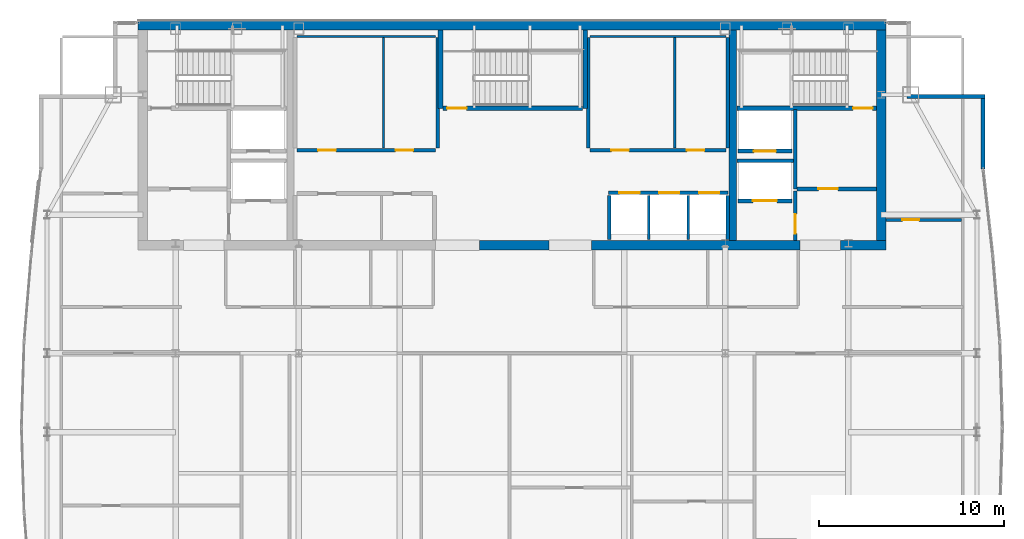
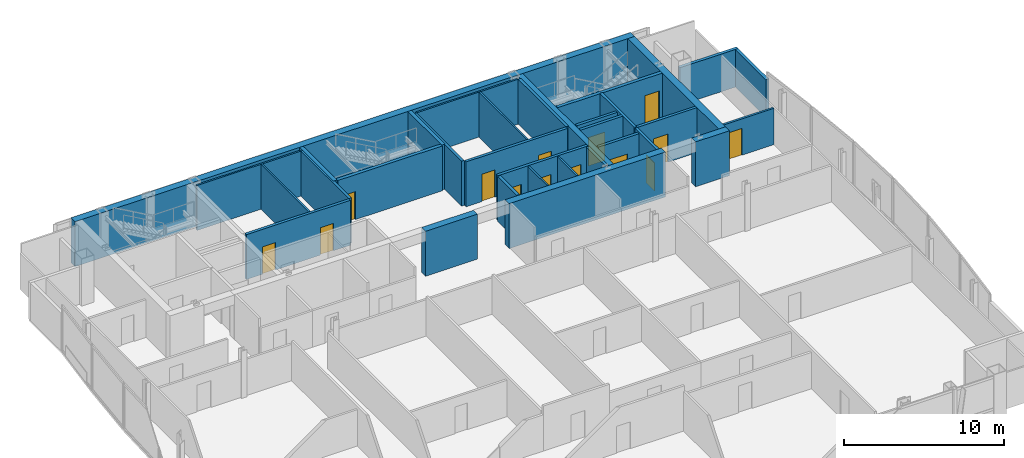
# One storey, part 22 of 25: 33 walls, 14 doors, 14 openings.
"""IFC4 building model written with IfcOpenShell, lengths in metres."""

from ifc_helpers import new_model, si_unit, direction, frame, frame_2d, origin, place, context, subcontext, project, spatial, rectangle, extrude, material, layer, layer_set, type_object, element, fill, save


model = new_model("IFC4")

# Units and contexts
model_context = context("Model", 3, precision=1e-05, world=origin(), true_north=direction((0.0, 1.0)))
body_context = subcontext(model_context, "Body", "Model", "MODEL_VIEW")
ifc_project = project(units=[si_unit("LENGTHUNIT", "METRE"), si_unit("AREAUNIT", "SQUARE_METRE"), si_unit("VOLUMEUNIT", "CUBIC_METRE"), si_unit("PLANEANGLEUNIT", "RADIAN"), si_unit("MASSUNIT", "GRAM", prefix="KILO")], contexts=[model_context])

# Site, building, storey
site_placement = place(None, origin())
site = spatial("IfcSite", under=ifc_project, at=site_placement, CompositionType="ELEMENT")
building_placement = place(site_placement, origin())
building = spatial("IfcBuilding", under=site, at=building_placement, Name="Khoronbel Lancet Exchange", CompositionType="ELEMENT")
storey_placement = place(building_placement, frame((0.0, 0.0, 298.60009765625)))
storey = spatial("IfcBuildingStorey", under=building, at=storey_placement, Name="L77", CompositionType="ELEMENT", Elevation=298.60009765625)

# Walls
ifc_material_1 = material(Name="Concrete C60/75", Category="concrete")
ifc_layer_1 = layer(ifc_material_1, 0.5, Name="Concrete C60/75")
ifc_layer_set_1 = layer_set([ifc_layer_1], Name="Concrete C60/75")
wall_type_1 = type_object("IfcWallType", Name="WL-CW4", PredefinedType="SHEAR", material=ifc_layer_set_1)
wall_1_placement = place(storey_placement, frame((16.199951171875, 53.449951171875, 0.0), z_axis=(0.0, 0.0, 1.0), x_axis=(1.0, 0.0, 0.0)))
element("IfcWall", 1, at=wall_1_placement, inside=storey, type_object=wall_type_1, Name="Level L77 rear core north shear wall", PredefinedType="SHEAR", context=body_context, shape_type="SweptSolid", body=[
    extrude(rectangle(XDim=40.5, YDim=0.5, at=frame_2d((20.25, 0.0))), origin(), (0.0, 0.0, 1.0), 3.43994140625),
])
wall_2_placement = place(storey_placement, frame((56.449951171875, 53.199951171875, 0.0), z_axis=(0.0, 0.0, 1.0), x_axis=(0.0, -1.0, 0.0)))
element("IfcWall", 2, at=wall_2_placement, inside=storey, type_object=wall_type_1, Name="Level L77 rear core east shear wall", PredefinedType="SHEAR", context=body_context, shape_type="SweptSolid", body=[
    extrude(rectangle(XDim=11.39990234375, YDim=0.5, at=frame_2d((5.699951171875, 0.0))), origin(), (0.0, 0.0, 1.0), 3.43994140625),
])
wall_3_placement = place(storey_placement, frame((38.449951171875, 41.550048828125, 0.0), z_axis=(0.0, 0.0, 1.0), x_axis=(-1.0, 0.0, 0.0)))
element("IfcWall", 3, at=wall_3_placement, inside=storey, type_object=wall_type_1, Name="Level L77 rear core south shear wall pier P3", PredefinedType="SHEAR", context=body_context, shape_type="SweptSolid", body=[
    extrude(rectangle(XDim=3.75, YDim=0.5, at=frame_2d((1.875, 0.0))), origin(), (0.0, 0.0, 1.0), 3.43994140625),
])
wall_4_placement = place(storey_placement, frame((52.050048828125, 41.550048828125, 0.0), z_axis=(0.0, 0.0, 1.0), x_axis=(-1.0, 0.0, 0.0)))
element("IfcWall", 4, at=wall_4_placement, inside=storey, type_object=wall_type_1, Name="Level L77 rear core south shear wall pier P4", PredefinedType="SHEAR", context=body_context, shape_type="SweptSolid", body=[
    extrude(rectangle(XDim=11.300048828125, YDim=0.5, at=frame_2d((5.64990234375, 0.0))), origin(), (0.0, 0.0, 1.0), 3.43994140625),
])
wall_5_placement = place(storey_placement, frame((56.699951171875, 41.550048828125, 0.0), z_axis=(0.0, 0.0, 1.0), x_axis=(-1.0, 0.0, 0.0)))
element("IfcWall", 5, at=wall_5_placement, inside=storey, type_object=wall_type_1, Name="Level L77 rear core south shear wall pier P5", PredefinedType="SHEAR", context=body_context, shape_type="SweptSolid", body=[
    extrude(rectangle(XDim=2.449951171875, YDim=0.5, at=frame_2d((1.22509765625, 0.0))), origin(), (0.0, 0.0, 1.0), 3.43994140625),
])
ifc_material_2 = material(Name="Precast concrete C40/50", Category="concrete")
ifc_layer_2 = layer(ifc_material_2, 0.25, Name="Precast concrete C40/50")
ifc_layer_set_2 = layer_set([ifc_layer_2], Name="Precast concrete C40/50")
wall_type_2 = type_object("IfcWallType", Name="WL-EXT250", PredefinedType="SOLIDWALL", material=ifc_layer_set_2)
wall_6_placement = place(storey_placement, frame((57.85009765625, 49.610107421875, 0.0), z_axis=(0.0, 0.0, 1.0), x_axis=(1.0, 0.0, 0.0)))
element("IfcWall", 6, at=wall_6_placement, inside=storey, type_object=wall_type_2, Name="Level L77 notched-corner limestone pier 15", PredefinedType="SOLIDWALL", context=body_context, shape_type="SweptSolid", body=[
    extrude(rectangle(XDim=4.219970703125, YDim=0.219970703125, at=frame_2d((2.10986328125, 0.0))), origin(), (0.0, 0.0, 1.0), 2.8798828125),
])
wall_7_placement = place(storey_placement, frame((61.9599609375, 49.5, 0.0), z_axis=(0.0, 0.0, 1.0), x_axis=(0.0, -1.0, 0.0)))
element("IfcWall", 7, at=wall_7_placement, inside=storey, type_object=wall_type_2, Name="Level L77 notched-corner limestone pier 16", PredefinedType="SOLIDWALL", context=body_context, shape_type="SweptSolid", body=[
    extrude(rectangle(XDim=3.824951171875, YDim=0.219970703125, at=frame_2d((1.91259765625, 0.0))), origin(), (0.0, 0.0, 1.0), 2.8798828125),
])

# Wall, opening, door
ifc_material_3 = material(Name="Acoustic Metal-Stud & Mineral-Wool Gypsum Partition 120 mm", Category="gypsum")
ifc_layer_3 = layer(ifc_material_3, 0.1201171875, Name="Acoustic Metal-Stud & Mineral-Wool Gypsum Partition 120 mm")
ifc_layer_set_3 = layer_set([ifc_layer_3], Name="Acoustic Metal-Stud & Mineral-Wool Gypsum Partition 120 mm")
wall_type_3 = type_object("IfcWallType", Name="WL-PRT120", PredefinedType="PARTITIONING", material=ifc_layer_set_3)
wall_8_placement = place(storey_placement, frame((56.699951171875, 42.919921875, 0.0), z_axis=(0.0, 0.0, 1.0), x_axis=(1.0, 0.0, 0.0)))
wall_8 = element("IfcWall", 8, at=wall_8_placement, inside=storey, type_object=wall_type_3, Name="Level L77 interior partition PW-NE-H", PredefinedType="PARTITIONING", context=body_context, shape_type="SweptSolid", body=[
    extrude(rectangle(XDim=4.10498046875, YDim=0.14990234375, at=frame_2d((2.052490234375, 0.0))), origin(), (0.0, 0.0, 1.0), 2.77978515625),
])
opening_1_placement = place(wall_8_placement, frame((0.89990234375, 0.0, 0.0)))
opening_1 = element("IfcOpeningElement", 9, at=opening_1_placement, cuts=wall_8, Name="Opening D5", PredefinedType="OPENING", context=body_context, shape_type="SweptSolid", body=[
    extrude(rectangle(XDim=0.89990234375, YDim=2.050048828125, at=frame_2d((0.449951171875, 1.02490234375))), frame((0.0, 0.0849609375, 0.0), z_axis=(0.0, -1.0, 0.0), x_axis=(1.0, 0.0, 0.0)), (0.0, 0.0, 1.0), 0.169921875),
])
ifc_material_4 = material(Name="Acoustic Timber Pantry & Support Door", Category="wood")
door_type_1 = type_object("IfcDoorType", Name="DR-D5", OperationType="NOTDEFINED", PredefinedType="DOOR", material=ifc_material_4)
door_1_placement = place(opening_1_placement, origin())
door_1 = element("IfcDoor", 10, at=door_1_placement, inside=storey, type_object=door_type_1, Name="NE north room door L77-1", OperationType="SINGLE_SWING_LEFT", OverallHeight=2.050048828125, OverallWidth=0.89990234375, PredefinedType="DOOR", context=body_context, shape_type="SweptSolid", body=[
    extrude(rectangle(XDim=0.89990234375, YDim=2.050048828125, at=frame_2d((0.449951171875, 1.02490234375))), frame((0.0, 0.02490234375, 0.0), z_axis=(0.0, -1.0, 0.0), x_axis=(1.0, 0.0, 0.0)), (0.0, 0.0, 1.0), 0.050048828125),
])
fill(opening_1, door_1)

# Walls
ifc_material_5 = material(Name="Fire-Rated Metal-Stud & Mineral-Wool Gypsum Partition 120 mm", Category="gypsum")
ifc_layer_4 = layer(ifc_material_5, 0.1201171875, Name="Fire-Rated Metal-Stud & Mineral-Wool Gypsum Partition 120 mm")
ifc_layer_set_4 = layer_set([ifc_layer_4], Name="Fire-Rated Metal-Stud & Mineral-Wool Gypsum Partition 120 mm")
wall_type_4 = type_object("IfcWallType", Name="WL-PRT120F", PredefinedType="PARTITIONING", material=ifc_layer_set_4)
wall_9_placement = place(storey_placement, frame((24.804931640625, 52.860107421875, 0.0), z_axis=(0.0, 0.0, 1.0), x_axis=(1.0, 0.0, 0.0)))
element("IfcWall", 11, at=wall_9_placement, inside=storey, type_object=wall_type_4, Name="Level L77 interior partition CW-PL-RN", PredefinedType="PARTITIONING", context=body_context, shape_type="SweptSolid", body=[
    extrude(rectangle(XDim=7.510009765625, YDim=0.1201171875, at=frame_2d((3.7548828125, 0.0))), origin(), (0.0, 0.0, 1.0), 3.43994140625),
])
wall_10_placement = place(storey_placement, frame((29.486328125, 46.804931640625, 0.0), z_axis=(0.0, 0.0, 1.0), x_axis=(0.0, 1.0, 0.0)))
element("IfcWall", 12, at=wall_10_placement, inside=storey, type_object=wall_type_4, Name="Level L77 interior partition CW-PL-RS2", PredefinedType="PARTITIONING", context=body_context, shape_type="SweptSolid", body=[
    extrude(rectangle(XDim=5.989990234375, YDim=0.1201171875, at=frame_2d((2.9951171875, 0.0))), origin(), (0.0, 0.0, 1.0), 3.43994140625),
])
wall_11_placement = place(storey_placement, frame((40.68505859375, 52.860107421875, 0.0), z_axis=(0.0, 0.0, 1.0), x_axis=(1.0, 0.0, 0.0)))
element("IfcWall", 13, at=wall_11_placement, inside=storey, type_object=wall_type_4, Name="Level L77 interior partition CW-PH-RN", PredefinedType="PARTITIONING", context=body_context, shape_type="SweptSolid", body=[
    extrude(rectangle(XDim=7.349853515625, YDim=0.1201171875, at=frame_2d((3.6748046875, 0.0))), origin(), (0.0, 0.0, 1.0), 3.43994140625),
])
wall_12_placement = place(storey_placement, frame((45.26708984375, 46.804931640625, 0.0), z_axis=(0.0, 0.0, 1.0), x_axis=(0.0, 1.0, 0.0)))
element("IfcWall", 14, at=wall_12_placement, inside=storey, type_object=wall_type_4, Name="Level L77 interior partition CW-PH-RS2", PredefinedType="PARTITIONING", context=body_context, shape_type="SweptSolid", body=[
    extrude(rectangle(XDim=5.989990234375, YDim=0.1201171875, at=frame_2d((2.9951171875, 0.0))), origin(), (0.0, 0.0, 1.0), 3.43994140625),
])
for number, where, z_axis, x_axis, name in (
    (15, (43.860107421875, 41.85009765625, 0.0), (0.0, 0.0, 1.0), (0.0, 1.0, 0.0), "Level L77 interior partition CW-PX-D1"),
    (16, (46.0, 41.85009765625, 0.0), (0.0, 0.0, 1.0), (0.0, 1.0, 0.0), "Level L77 interior partition CW-PX-D2"),
):
    element("IfcWall", number, at=place(storey_placement, frame(where, z_axis=z_axis, x_axis=x_axis)), inside=storey, type_object=wall_type_4, Name=name, PredefinedType="PARTITIONING", context=body_context, shape_type="SweptSolid", body=[
        extrude(rectangle(XDim=2.39990234375, YDim=0.1201171875, at=frame_2d((1.199951171875, 0.0))), origin(), (0.0, 0.0, 1.0), 3.43994140625),
    ])

# Wall, openings, doors
ifc_material_6 = material(Name="Autoclaved Aerated Concrete Blockwork 200 mm", Category="masonry")
ifc_layer_5 = layer(ifc_material_6, 0.199951171875, Name="Autoclaved Aerated Concrete Blockwork 200 mm")
ifc_layer_set_5 = layer_set([ifc_layer_5], Name="Autoclaved Aerated Concrete Blockwork 200 mm")
wall_type_5 = type_object("IfcWallType", Name="WL-PRT200", PredefinedType="PARTITIONING", material=ifc_layer_set_5)
wall_13_placement = place(storey_placement, frame((41.679931640625, 44.39990234375, 0.0), z_axis=(0.0, 0.0, 1.0), x_axis=(1.0, 0.0, 0.0)))
wall_13 = element("IfcWall", 17, at=wall_13_placement, inside=storey, type_object=wall_type_5, Name="Level L77 elevator hoistway landing front wall PXE", PredefinedType="PARTITIONING", context=body_context, shape_type="SweptSolid", body=[
    extrude(rectangle(XDim=6.47998046875, YDim=0.199951171875, at=frame_2d((3.239990234375, 0.0))), origin(), (0.0, 0.0, 1.0), 3.43994140625),
])
opening_2_placement = place(wall_13_placement, frame((0.580078125, 0.0, 0.0)))
opening_2 = element("IfcOpeningElement", 18, at=opening_2_placement, cuts=wall_13, Name="Opening LD-PX1", PredefinedType="OPENING", context=body_context, shape_type="SweptSolid", body=[
    extrude(rectangle(XDim=1.10009765625, YDim=2.179931640625, at=frame_2d((0.550048828125, 1.08984375))), frame((0.0, 0.10986328125, 0.0), z_axis=(0.0, -1.0, 0.0), x_axis=(1.0, 0.0, 0.0)), (0.0, 0.0, 1.0), 0.219970703125),
])
opening_3_placement = place(wall_13_placement, frame((2.739990234375, 0.0, 0.0)))
opening_3 = element("IfcOpeningElement", 19, at=opening_3_placement, cuts=wall_13, Name="Opening LD-PX2", PredefinedType="OPENING", context=body_context, shape_type="SweptSolid", body=[
    extrude(rectangle(XDim=1.10009765625, YDim=2.179931640625, at=frame_2d((0.550048828125, 1.08984375))), frame((0.0, 0.10986328125, 0.0), z_axis=(0.0, -1.0, 0.0), x_axis=(1.0, 0.0, 0.0)), (0.0, 0.0, 1.0), 0.219970703125),
])
opening_4_placement = place(wall_13_placement, frame((4.89990234375, 0.0, 0.0)))
opening_4 = element("IfcOpeningElement", 20, at=opening_4_placement, cuts=wall_13, Name="Opening LD-PX3", PredefinedType="OPENING", context=body_context, shape_type="SweptSolid", body=[
    extrude(rectangle(XDim=1.10009765625, YDim=2.179931640625, at=frame_2d((0.550048828125, 1.08984375))), frame((0.0, 0.10986328125, 0.0), z_axis=(0.0, -1.0, 0.0), x_axis=(1.0, 0.0, 0.0)), (0.0, 0.0, 1.0), 0.219970703125),
])
ifc_material_7 = material(Name="Brushed Bronze Bi-Parting Elevator Landing Door", Category="steel")
door_type_2 = type_object("IfcDoorType", Name="DR-LD-PAX", OperationType="NOTDEFINED", PredefinedType="DOOR", material=ifc_material_7)
door_2_placement = place(opening_2_placement, origin())
door_2 = element("IfcDoor", 21, at=door_2_placement, inside=storey, type_object=door_type_2, Name="Elevator landing sliding door LD-PX1 L77", OperationType="SLIDING_TO_LEFT", OverallHeight=2.179931640625, OverallWidth=1.10009765625, PredefinedType="DOOR", context=body_context, shape_type="SweptSolid", body=[
    extrude(rectangle(XDim=1.10009765625, YDim=2.179931640625, at=frame_2d((0.550048828125, 1.08984375))), frame((0.0, 0.02490234375, 0.0), z_axis=(0.0, -1.0, 0.0), x_axis=(1.0, 0.0, 0.0)), (0.0, 0.0, 1.0), 0.050048828125),
])
fill(opening_2, door_2)
door_3_placement = place(opening_3_placement, origin())
door_3 = element("IfcDoor", 22, at=door_3_placement, inside=storey, type_object=door_type_2, Name="Elevator landing sliding door LD-PX2 L77", OperationType="SLIDING_TO_LEFT", OverallHeight=2.179931640625, OverallWidth=1.10009765625, PredefinedType="DOOR", context=body_context, shape_type="SweptSolid", body=[
    extrude(rectangle(XDim=1.10009765625, YDim=2.179931640625, at=frame_2d((0.550048828125, 1.08984375))), frame((0.0, 0.02490234375, 0.0), z_axis=(0.0, -1.0, 0.0), x_axis=(1.0, 0.0, 0.0)), (0.0, 0.0, 1.0), 0.050048828125),
])
fill(opening_3, door_3)
door_4_placement = place(opening_4_placement, origin())
door_4 = element("IfcDoor", 23, at=door_4_placement, inside=storey, type_object=door_type_2, Name="Elevator landing sliding door LD-PX3 L77", OperationType="SLIDING_TO_LEFT", OverallHeight=2.179931640625, OverallWidth=1.10009765625, PredefinedType="DOOR", context=body_context, shape_type="SweptSolid", body=[
    extrude(rectangle(XDim=1.10009765625, YDim=2.179931640625, at=frame_2d((0.550048828125, 1.08984375))), frame((0.0, 0.02490234375, 0.0), z_axis=(0.0, -1.0, 0.0), x_axis=(1.0, 0.0, 0.0)), (0.0, 0.0, 1.0), 0.050048828125),
])
fill(opening_4, door_4)

# Wall, opening, door
wall_14_placement = place(storey_placement, frame((51.610107421875, 43.949951171875, 0.0), z_axis=(0.0, 0.0, 1.0), x_axis=(-1.0, 0.0, 0.0)))
wall_14 = element("IfcWall", 24, at=wall_14_placement, inside=storey, type_object=wall_type_5, Name="Level L77 elevator hoistway landing front wall SVLE", PredefinedType="PARTITIONING", context=body_context, shape_type="SweptSolid", body=[
    extrude(rectangle(XDim=2.920166015625, YDim=0.199951171875, at=frame_2d((1.4599609375, 0.0))), origin(), (0.0, 0.0, 1.0), 3.43994140625),
])
opening_5_placement = place(wall_14_placement, frame((0.81005859375, 0.0, 0.0)))
opening_5 = element("IfcOpeningElement", 25, at=opening_5_placement, cuts=wall_14, Name="Opening LD-SVL2", PredefinedType="OPENING", context=body_context, shape_type="SweptSolid", body=[
    extrude(rectangle(XDim=1.300048828125, YDim=2.179931640625, at=frame_2d((0.64990234375, 1.08984375))), frame((0.0, 0.10986328125, 0.0), z_axis=(0.0, -1.0, 0.0), x_axis=(1.0, 0.0, 0.0)), (0.0, 0.0, 1.0), 0.219970703125),
])
ifc_material_8 = material(Name="Heavy-Duty Bi-Parting Goods Lift Landing Door", Category="steel")
door_type_3 = type_object("IfcDoorType", Name="DR-LD-SVL", OperationType="NOTDEFINED", PredefinedType="DOOR", material=ifc_material_8)
door_5_placement = place(opening_5_placement, origin())
door_5 = element("IfcDoor", 26, at=door_5_placement, inside=storey, type_object=door_type_3, Name="Elevator landing sliding door LD-SVL2 L77", OperationType="SLIDING_TO_LEFT", OverallHeight=2.179931640625, OverallWidth=1.300048828125, PredefinedType="DOOR", context=body_context, shape_type="SweptSolid", body=[
    extrude(rectangle(XDim=1.300048828125, YDim=2.179931640625, at=frame_2d((0.64990234375, 1.08984375))), frame((0.0, 0.02490234375, 0.0), z_axis=(0.0, -1.0, 0.0), x_axis=(1.0, 0.0, 0.0)), (0.0, 0.0, 1.0), 0.050048828125),
])
fill(opening_5, door_5)

wall_15_placement = place(storey_placement, frame((51.610107421875, 46.64990234375, 0.0), z_axis=(0.0, 0.0, 1.0), x_axis=(-1.0, 0.0, 0.0)))
wall_15 = element("IfcWall", 27, at=wall_15_placement, inside=storey, type_object=wall_type_5, Name="Level L77 elevator hoistway landing front wall FFLE", PredefinedType="PARTITIONING", context=body_context, shape_type="SweptSolid", body=[
    extrude(rectangle(XDim=2.920166015625, YDim=0.199951171875, at=frame_2d((1.4599609375, 0.0))), origin(), (0.0, 0.0, 1.0), 3.43994140625),
])
opening_6_placement = place(wall_15_placement, frame((0.860107421875, 0.0, 0.0)))
opening_6 = element("IfcOpeningElement", 28, at=opening_6_placement, cuts=wall_15, Name="Opening LD-FFL2", PredefinedType="OPENING", context=body_context, shape_type="SweptSolid", body=[
    extrude(rectangle(XDim=1.199951171875, YDim=2.179931640625, at=frame_2d((0.60009765625, 1.08984375))), frame((0.0, 0.10986328125, 0.0), z_axis=(0.0, -1.0, 0.0), x_axis=(1.0, 0.0, 0.0)), (0.0, 0.0, 1.0), 0.219970703125),
])
ifc_material_9 = material(Name="Fire-Rated Stainless Bi-Parting Firefighting Lift Door", Category="steel")
door_type_4 = type_object("IfcDoorType", Name="DR-LD-FFL", OperationType="NOTDEFINED", PredefinedType="DOOR", material=ifc_material_9)
door_6_placement = place(opening_6_placement, origin())
door_6 = element("IfcDoor", 29, at=door_6_placement, inside=storey, type_object=door_type_4, Name="Elevator landing sliding door LD-FFL2 L77", OperationType="SLIDING_TO_LEFT", OverallHeight=2.179931640625, OverallWidth=1.199951171875, PredefinedType="DOOR", context=body_context, shape_type="SweptSolid", body=[
    extrude(rectangle(XDim=1.199951171875, YDim=2.179931640625, at=frame_2d((0.60009765625, 1.08984375))), frame((0.0, 0.02490234375, 0.0), z_axis=(0.0, -1.0, 0.0), x_axis=(1.0, 0.0, 0.0)), (0.0, 0.0, 1.0), 0.050048828125),
])
fill(opening_6, door_6)

# Wall
wall_16_placement = place(storey_placement, frame((51.800048828125, 44.60009765625, 0.0), z_axis=(0.0, 0.0, 1.0), x_axis=(0.0, 1.0, 0.0)))
element("IfcWall", 30, at=wall_16_placement, inside=storey, type_object=wall_type_5, Name="Level L77 interior partition CW-FFLE-W", PredefinedType="PARTITIONING", context=body_context, shape_type="SweptSolid", body=[
    extrude(rectangle(XDim=4.2998046875, YDim=0.199951171875, at=frame_2d((2.14990234375, 0.0))), origin(), (0.0, 0.0, 1.0), 3.43994140625),
])

# Wall, opening, door
wall_17_placement = place(storey_placement, frame((51.89990234375, 44.60009765625, 0.0), z_axis=(0.0, 0.0, 1.0), x_axis=(1.0, 0.0, 0.0)))
wall_17 = element("IfcWall", 31, at=wall_17_placement, inside=storey, type_object=wall_type_5, Name="Level L77 interior partition CW-FFLE-S", PredefinedType="PARTITIONING", context=body_context, shape_type="SweptSolid", body=[
    extrude(rectangle(XDim=4.300048828125, YDim=0.199951171875, at=frame_2d((2.14990234375, 0.0))), origin(), (0.0, 0.0, 1.0), 3.43994140625),
])
opening_7_placement = place(wall_17_placement, frame((1.14990234375, 0.0, 0.0)))
opening_7 = element("IfcOpeningElement", 32, at=opening_7_placement, cuts=wall_17, Name="Opening FD1", PredefinedType="OPENING", context=body_context, shape_type="SweptSolid", body=[
    extrude(rectangle(XDim=1.050048828125, YDim=2.14990234375, at=frame_2d((0.52490234375, 1.074951171875))), frame((0.0, 0.10986328125, 0.0), z_axis=(0.0, -1.0, 0.0), x_axis=(1.0, 0.0, 0.0)), (0.0, 0.0, 1.0), 0.219970703125),
])
ifc_material_10 = material(Name="Fire-Rated Painted Steel Door Assembly", Category="steel")
door_type_5 = type_object("IfcDoorType", Name="DR-FD1", OperationType="NOTDEFINED", PredefinedType="DOOR", material=ifc_material_10)
door_7_placement = place(opening_7_placement, origin())
door_7 = element("IfcDoor", 33, at=door_7_placement, inside=storey, type_object=door_type_5, Name="East firefighting lobby FD90S door L77-1", OperationType="SINGLE_SWING_LEFT", OverallHeight=2.14990234375, OverallWidth=1.050048828125, PredefinedType="DOOR", context=body_context, shape_type="SweptSolid", body=[
    extrude(rectangle(XDim=1.050048828125, YDim=2.14990234375, at=frame_2d((0.52490234375, 1.074951171875))), frame((0.0, 0.02490234375, 0.0), z_axis=(0.0, -1.0, 0.0), x_axis=(1.0, 0.0, 0.0)), (0.0, 0.0, 1.0), 0.050048828125),
])
fill(opening_7, door_7)

# Wall
wall_18_placement = place(storey_placement, frame((48.6298828125, 46.1201171875, 0.0), z_axis=(0.0, 0.0, 1.0), x_axis=(1.0, 0.0, 0.0)))
element("IfcWall", 34, at=wall_18_placement, inside=storey, type_object=wall_type_5, Name="Level L77 interior partition CW-FFL2-S", PredefinedType="PARTITIONING", context=body_context, shape_type="SweptSolid", body=[
    extrude(rectangle(XDim=3.070068359375, YDim=0.199951171875, at=frame_2d((1.53515625, 0.0))), origin(), (0.0, 0.0, 1.0), 3.43994140625),
])

# Wall, opening, door
wall_19_placement = place(storey_placement, frame((51.800048828125, 41.800048828125, 0.0), z_axis=(0.0, 0.0, 1.0), x_axis=(0.0, 1.0, 0.0)))
wall_19 = element("IfcWall", 35, at=wall_19_placement, inside=storey, type_object=wall_type_5, Name="Level L77 interior partition CW-SVLE-E", PredefinedType="PARTITIONING", context=body_context, shape_type="SweptSolid", body=[
    extrude(rectangle(XDim=2.695068359375, YDim=0.199951171875, at=frame_2d((1.34765625, 0.0))), origin(), (0.0, 0.0, 1.0), 3.43994140625),
])
opening_8_placement = place(wall_19_placement, frame((0.3798828125, 0.0, 0.0)))
opening_8 = element("IfcOpeningElement", 36, at=opening_8_placement, cuts=wall_19, Name="Opening FD1", PredefinedType="OPENING", context=body_context, shape_type="SweptSolid", body=[
    extrude(rectangle(XDim=1.050048828125, YDim=2.14990234375, at=frame_2d((0.52490234375, 1.074951171875))), frame((0.0, 0.10986328125, 0.0), z_axis=(0.0, -1.0, 0.0), x_axis=(1.0, 0.0, 0.0)), (0.0, 0.0, 1.0), 0.219970703125),
])
door_8_placement = place(opening_8_placement, origin())
door_8 = element("IfcDoor", 37, at=door_8_placement, inside=storey, type_object=door_type_5, Name="East service lift lobby door L77-1", OperationType="SINGLE_SWING_RIGHT", OverallHeight=2.14990234375, OverallWidth=1.050048828125, PredefinedType="DOOR", context=body_context, shape_type="SweptSolid", body=[
    extrude(rectangle(XDim=1.050048828125, YDim=2.14990234375, at=frame_2d((0.52490234375, 1.074951171875))), frame((0.0, 0.02490234375, 0.0), z_axis=(0.0, -1.0, 0.0), x_axis=(1.0, 0.0, 0.0)), (0.0, 0.0, 1.0), 0.050048828125),
])
fill(opening_8, door_8)

# Wall
wall_20_placement = place(storey_placement, frame((32.419921875, 46.804931640625, 0.0), z_axis=(0.0, 0.0, 1.0), x_axis=(0.0, 1.0, 0.0)))
element("IfcWall", 38, at=wall_20_placement, inside=storey, type_object=wall_type_5, Name="Level L77 interior partition CW-PL-RE", PredefinedType="PARTITIONING", context=body_context, shape_type="SweptSolid", body=[
    extrude(rectangle(XDim=5.989990234375, YDim=0.199951171875, at=frame_2d((2.9951171875, 0.0))), origin(), (0.0, 0.0, 1.0), 3.43994140625),
])

# Wall, openings, doors
wall_21_placement = place(storey_placement, frame((24.804931640625, 46.699951171875, 0.0), z_axis=(0.0, 0.0, 1.0), x_axis=(1.0, 0.0, 0.0)))
wall_21 = element("IfcWall", 39, at=wall_21_placement, inside=storey, type_object=wall_type_5, Name="Level L77 interior partition CW-PL-RF", PredefinedType="PARTITIONING", context=body_context, shape_type="SweptSolid", body=[
    extrude(rectangle(XDim=7.510009765625, YDim=0.199951171875, at=frame_2d((3.7548828125, 0.0))), origin(), (0.0, 0.0, 1.0), 3.43994140625),
])
opening_9_placement = place(wall_21_placement, frame((1.14990234375, 0.0, 0.0)))
opening_9 = element("IfcOpeningElement", 40, at=opening_9_placement, cuts=wall_21, Name="Opening FD3", PredefinedType="OPENING", context=body_context, shape_type="SweptSolid", body=[
    extrude(rectangle(XDim=0.949951171875, YDim=2.10009765625, at=frame_2d((0.47509765625, 1.050048828125))), frame((0.0, 0.10986328125, 0.0), z_axis=(0.0, -1.0, 0.0), x_axis=(1.0, 0.0, 0.0)), (0.0, 0.0, 1.0), 0.219970703125),
])
opening_10_placement = place(wall_21_placement, frame((5.33642578125, 0.0, 0.0)))
opening_10 = element("IfcOpeningElement", 41, at=opening_10_placement, cuts=wall_21, Name="Opening FD3", PredefinedType="OPENING", context=body_context, shape_type="SweptSolid", body=[
    extrude(rectangle(XDim=0.949951171875, YDim=2.10009765625, at=frame_2d((0.47509765625, 1.050048828125))), frame((0.0, 0.10986328125, 0.0), z_axis=(0.0, -1.0, 0.0), x_axis=(1.0, 0.0, 0.0)), (0.0, 0.0, 1.0), 0.219970703125),
])
ifc_material_11 = material(Name="Fire-Rated Steel Plant & Riser Door Assembly", Category="steel")
door_type_6 = type_object("IfcDoorType", Name="DR-FD3", OperationType="NOTDEFINED", PredefinedType="DOOR", material=ifc_material_11)
door_9_placement = place(opening_9_placement, origin())
door_9 = element("IfcDoor", 42, at=door_9_placement, inside=storey, type_object=door_type_6, Name="Reclaimed PL C door L77-1", OperationType="SINGLE_SWING_LEFT", OverallHeight=2.10009765625, OverallWidth=0.949951171875, PredefinedType="DOOR", context=body_context, shape_type="SweptSolid", body=[
    extrude(rectangle(XDim=0.949951171875, YDim=2.10009765625, at=frame_2d((0.47509765625, 1.050048828125))), frame((0.0, 0.02490234375, 0.0), z_axis=(0.0, -1.0, 0.0), x_axis=(1.0, 0.0, 0.0)), (0.0, 0.0, 1.0), 0.050048828125),
])
fill(opening_9, door_9)
door_10_placement = place(opening_10_placement, origin())
door_10 = element("IfcDoor", 43, at=door_10_placement, inside=storey, type_object=door_type_6, Name="Reclaimed PL D door L77-2", OperationType="SINGLE_SWING_RIGHT", OverallHeight=2.10009765625, OverallWidth=0.949951171875, PredefinedType="DOOR", context=body_context, shape_type="SweptSolid", body=[
    extrude(rectangle(XDim=0.949951171875, YDim=2.10009765625, at=frame_2d((0.47509765625, 1.050048828125))), frame((0.0, 0.02490234375, 0.0), z_axis=(0.0, -1.0, 0.0), x_axis=(1.0, 0.0, 0.0)), (0.0, 0.0, 1.0), 0.050048828125),
])
fill(opening_10, door_10)

# Walls
for number, where, z_axis, x_axis, name in (
    (44, (40.580078125, 46.804931640625, 0.0), (0.0, 0.0, 1.0), (0.0, 1.0, 0.0), "Level L77 interior partition CW-PH-RW"),
    (45, (48.139892578125, 46.804931640625, 0.0), (0.0, 0.0, 1.0), (0.0, 1.0, 0.0), "Level L77 interior partition CW-PH-RE"),
):
    element("IfcWall", number, at=place(storey_placement, frame(where, z_axis=z_axis, x_axis=x_axis)), inside=storey, type_object=wall_type_5, Name=name, PredefinedType="PARTITIONING", context=body_context, shape_type="SweptSolid", body=[
        extrude(rectangle(XDim=5.989990234375, YDim=0.199951171875, at=frame_2d((2.9951171875, 0.0))), origin(), (0.0, 0.0, 1.0), 3.43994140625),
    ])

# Wall, openings, doors
wall_22_placement = place(storey_placement, frame((40.68505859375, 46.699951171875, 0.0), z_axis=(0.0, 0.0, 1.0), x_axis=(1.0, 0.0, 0.0)))
wall_22 = element("IfcWall", 46, at=wall_22_placement, inside=storey, type_object=wall_type_5, Name="Level L77 interior partition CW-PH-RF", PredefinedType="PARTITIONING", context=body_context, shape_type="SweptSolid", body=[
    extrude(rectangle(XDim=7.349853515625, YDim=0.199951171875, at=frame_2d((3.6748046875, 0.0))), origin(), (0.0, 0.0, 1.0), 3.43994140625),
])
opening_11_placement = place(wall_22_placement, frame((1.14990234375, 0.0, 0.0)))
opening_11 = element("IfcOpeningElement", 47, at=opening_11_placement, cuts=wall_22, Name="Opening FD3", PredefinedType="OPENING", context=body_context, shape_type="SweptSolid", body=[
    extrude(rectangle(XDim=0.949951171875, YDim=2.10009765625, at=frame_2d((0.47509765625, 1.050048828125))), frame((0.0, 0.10986328125, 0.0), z_axis=(0.0, -1.0, 0.0), x_axis=(1.0, 0.0, 0.0)), (0.0, 0.0, 1.0), 0.219970703125),
])
opening_12_placement = place(wall_22_placement, frame((5.2373046875, 0.0, 0.0)))
opening_12 = element("IfcOpeningElement", 48, at=opening_12_placement, cuts=wall_22, Name="Opening FD3", PredefinedType="OPENING", context=body_context, shape_type="SweptSolid", body=[
    extrude(rectangle(XDim=0.949951171875, YDim=2.10009765625, at=frame_2d((0.47509765625, 1.050048828125))), frame((0.0, 0.10986328125, 0.0), z_axis=(0.0, -1.0, 0.0), x_axis=(1.0, 0.0, 0.0)), (0.0, 0.0, 1.0), 0.219970703125),
])
door_11_placement = place(opening_11_placement, origin())
door_11 = element("IfcDoor", 49, at=door_11_placement, inside=storey, type_object=door_type_6, Name="Reclaimed PH C door L77-1", OperationType="SINGLE_SWING_LEFT", OverallHeight=2.10009765625, OverallWidth=0.949951171875, PredefinedType="DOOR", context=body_context, shape_type="SweptSolid", body=[
    extrude(rectangle(XDim=0.949951171875, YDim=2.10009765625, at=frame_2d((0.47509765625, 1.050048828125))), frame((0.0, 0.02490234375, 0.0), z_axis=(0.0, -1.0, 0.0), x_axis=(1.0, 0.0, 0.0)), (0.0, 0.0, 1.0), 0.050048828125),
])
fill(opening_11, door_11)
door_12_placement = place(opening_12_placement, origin())
door_12 = element("IfcDoor", 50, at=door_12_placement, inside=storey, type_object=door_type_6, Name="Reclaimed PH D door L77-2", OperationType="SINGLE_SWING_RIGHT", OverallHeight=2.10009765625, OverallWidth=0.949951171875, PredefinedType="DOOR", context=body_context, shape_type="SweptSolid", body=[
    extrude(rectangle(XDim=0.949951171875, YDim=2.10009765625, at=frame_2d((0.47509765625, 1.050048828125))), frame((0.0, 0.02490234375, 0.0), z_axis=(0.0, -1.0, 0.0), x_axis=(1.0, 0.0, 0.0)), (0.0, 0.0, 1.0), 0.050048828125),
])
fill(opening_12, door_12)

# Walls
for number, where, z_axis, x_axis, name in (
    (51, (41.719970703125, 41.85009765625, 0.0), (0.0, 0.0, 1.0), (0.0, 1.0, 0.0), "Level L77 interior partition CW-PX-W"),
    (52, (48.139892578125, 41.85009765625, 0.0), (0.0, 0.0, 1.0), (0.0, 1.0, 0.0), "Level L77 interior partition CW-PX-E"),
):
    element("IfcWall", number, at=place(storey_placement, frame(where, z_axis=z_axis, x_axis=x_axis)), inside=storey, type_object=wall_type_5, Name=name, PredefinedType="PARTITIONING", context=body_context, shape_type="SweptSolid", body=[
        extrude(rectangle(XDim=2.39990234375, YDim=0.199951171875, at=frame_2d((1.199951171875, 0.0))), origin(), (0.0, 0.0, 1.0), 3.43994140625),
    ])
ifc_layer_6 = layer(ifc_material_1, 0.39990234375, Name="Concrete C60/75")
ifc_layer_set_6 = layer_set([ifc_layer_6], Name="Concrete C60/75")
wall_type_6 = type_object("IfcWallType", Name="WL-SW2", PredefinedType="SHEAR", material=ifc_layer_set_6)
wall_23_placement = place(storey_placement, frame((48.39990234375, 41.800048828125, 0.0), z_axis=(0.0, 0.0, 1.0), x_axis=(0.0, 1.0, 0.0)))
element("IfcWall", 53, at=wall_23_placement, inside=storey, type_object=wall_type_6, Name="Level L77 rear core internal spine shear wall IE", PredefinedType="SHEAR", context=body_context, shape_type="SweptSolid", body=[
    extrude(rectangle(XDim=11.39990234375, YDim=0.39990234375, at=frame_2d((5.699951171875, 0.0))), origin(), (0.0, 0.0, 1.0), 3.43994140625),
])
ifc_layer_7 = layer(ifc_material_1, 0.260009765625, Name="Concrete C60/75")
ifc_layer_set_7 = layer_set([ifc_layer_7], Name="Concrete C60/75")
wall_type_7 = type_object("IfcWallType", Name="WL-SW3", PredefinedType="SHEAR", material=ifc_layer_set_7)
for number, where, z_axis, x_axis, name in (
    (54, (32.580078125, 48.949951171875, 0.0), (0.0, 0.0, 1.0), (0.0, 1.0, 0.0), "Level L77 central stairwell structural shear wall ST3W"),
    (55, (40.419921875, 48.949951171875, 0.0), (0.0, 0.0, 1.0), (0.0, 1.0, 0.0), "Level L77 central stairwell structural shear wall ST3E"),
):
    element("IfcWall", number, at=place(storey_placement, frame(where, z_axis=z_axis, x_axis=x_axis)), inside=storey, type_object=wall_type_7, Name=name, PredefinedType="SHEAR", context=body_context, shape_type="SweptSolid", body=[
        extrude(rectangle(XDim=4.25, YDim=0.260009765625, at=frame_2d((2.125, 0.0))), origin(), (0.0, 0.0, 1.0), 3.43994140625),
    ])

# Wall, opening, door
wall_24_placement = place(storey_placement, frame((48.6298828125, 48.97998046875, 0.0), z_axis=(0.0, 0.0, 1.0), x_axis=(1.0, 0.0, 0.0)))
wall_24 = element("IfcWall", 56, at=wall_24_placement, inside=storey, type_object=wall_type_7, Name="Level L77 east stairwell structural south wall", PredefinedType="SHEAR", context=body_context, shape_type="SweptSolid", body=[
    extrude(rectangle(XDim=7.570068359375, YDim=0.239990234375, at=frame_2d((3.78515625, 0.0))), origin(), (0.0, 0.0, 1.0), 3.43994140625),
])
opening_13_placement = place(wall_24_placement, frame((6.300048828125, 0.0, 0.0)))
opening_13 = element("IfcOpeningElement", 57, at=opening_13_placement, cuts=wall_24, Name="Opening SD1", PredefinedType="OPENING", context=body_context, shape_type="SweptSolid", body=[
    extrude(rectangle(XDim=1.050048828125, YDim=2.14990234375, at=frame_2d((0.52490234375, 1.074951171875))), frame((0.0, 0.1298828125, 0.0), z_axis=(0.0, -1.0, 0.0), x_axis=(1.0, 0.0, 0.0)), (0.0, 0.0, 1.0), 0.260009765625),
])
ifc_material_12 = material(Name="Fire-Rated Steel Stairwell Door Assembly", Category="steel")
door_type_7 = type_object("IfcDoorType", Name="DR-SD1", OperationType="NOTDEFINED", PredefinedType="DOOR", material=ifc_material_12)
door_13_placement = place(opening_13_placement, origin())
door_13 = element("IfcDoor", 58, at=door_13_placement, inside=storey, type_object=door_type_7, Name="Protected exit stair ST2 door L77", OperationType="SINGLE_SWING_RIGHT", OverallHeight=2.14990234375, OverallWidth=1.050048828125, PredefinedType="DOOR", context=body_context, shape_type="SweptSolid", body=[
    extrude(rectangle(XDim=1.050048828125, YDim=2.14990234375, at=frame_2d((0.52490234375, 1.074951171875))), frame((0.0, 0.02490234375, 0.0), z_axis=(0.0, -1.0, 0.0), x_axis=(1.0, 0.0, 0.0)), (0.0, 0.0, 1.0), 0.050048828125),
])
fill(opening_13, door_13)

wall_25_placement = place(storey_placement, frame((32.719970703125, 48.97998046875, 0.0), z_axis=(0.0, 0.0, 1.0), x_axis=(1.0, 0.0, 0.0)))
wall_25 = element("IfcWall", 59, at=wall_25_placement, inside=storey, type_object=wall_type_7, Name="Level L77 central stairwell structural south wall", PredefinedType="SHEAR", context=body_context, shape_type="SweptSolid", body=[
    extrude(rectangle(XDim=7.56005859375, YDim=0.239990234375, at=frame_2d((3.780029296875, 0.0))), origin(), (0.0, 0.0, 1.0), 3.43994140625),
])
opening_14_placement = place(wall_25_placement, frame((0.219970703125, 0.0, 0.0)))
opening_14 = element("IfcOpeningElement", 60, at=opening_14_placement, cuts=wall_25, Name="Opening SD1", PredefinedType="OPENING", context=body_context, shape_type="SweptSolid", body=[
    extrude(rectangle(XDim=1.050048828125, YDim=2.14990234375, at=frame_2d((0.52490234375, 1.074951171875))), frame((0.0, 0.1298828125, 0.0), z_axis=(0.0, -1.0, 0.0), x_axis=(1.0, 0.0, 0.0)), (0.0, 0.0, 1.0), 0.260009765625),
])
door_14_placement = place(opening_14_placement, origin())
door_14 = element("IfcDoor", 61, at=door_14_placement, inside=storey, type_object=door_type_7, Name="Protected exit stair ST3 door L77", OperationType="SINGLE_SWING_LEFT", OverallHeight=2.14990234375, OverallWidth=1.050048828125, PredefinedType="DOOR", context=body_context, shape_type="SweptSolid", body=[
    extrude(rectangle(XDim=1.050048828125, YDim=2.14990234375, at=frame_2d((0.52490234375, 1.074951171875))), frame((0.0, 0.02490234375, 0.0), z_axis=(0.0, -1.0, 0.0), x_axis=(1.0, 0.0, 0.0)), (0.0, 0.0, 1.0), 0.050048828125),
])
fill(opening_14, door_14)

save(model, "model.ifc")
